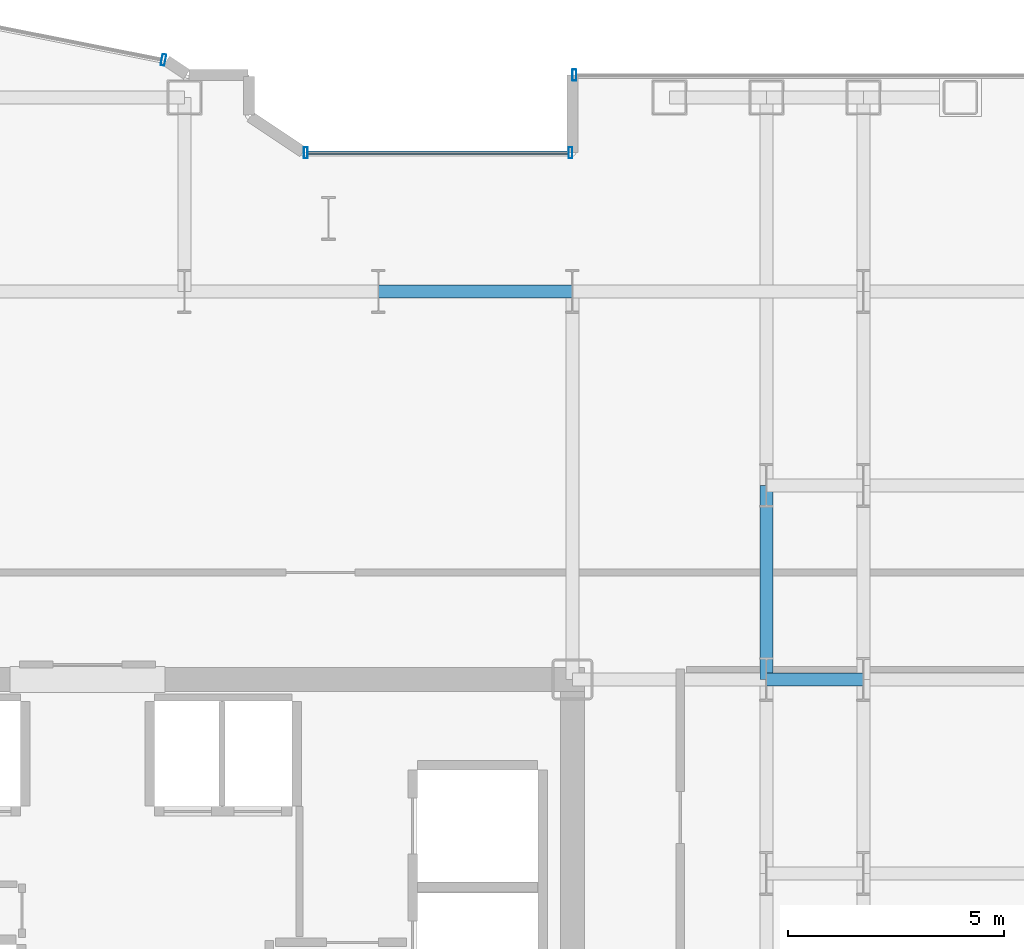
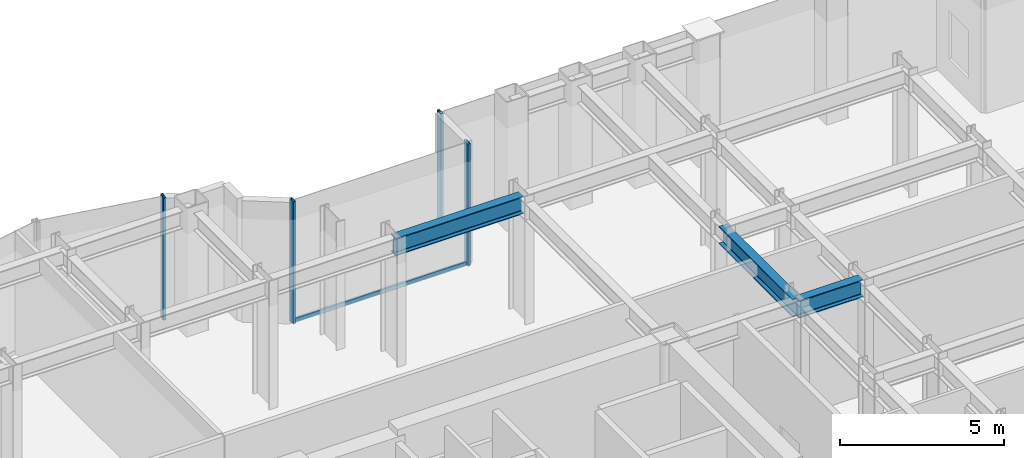
# One storey, part 12 of 27: 5 members, 3 beams, 3 elements without a shape of their own.
"""IFC4 building model written with IfcOpenShell, lengths in metres."""

from ifc_helpers import new_model, si_unit, direction, frame, origin, origin_2d, place, context, subcontext, project, spatial, hollow_rectangle, i_section, extrude, source, transform, mapped, material, layer, layer_set, material_profile, profile_set, type_object, element, aggregate, save


model = new_model("IFC4")

# Units and contexts
model_context = context("Model", 3, precision=1e-05, world=origin(), true_north=direction((0.0, 1.0)))
body_context = subcontext(model_context, "Body", "Model", "MODEL_VIEW")
ifc_project = project(units=[si_unit("LENGTHUNIT", "METRE"), si_unit("AREAUNIT", "SQUARE_METRE"), si_unit("VOLUMEUNIT", "CUBIC_METRE"), si_unit("PLANEANGLEUNIT", "RADIAN"), si_unit("MASSUNIT", "GRAM", prefix="KILO")], contexts=[model_context])

# Site, building, storey
site_placement = place(None, origin())
site = spatial("IfcSite", under=ifc_project, at=site_placement, CompositionType="ELEMENT")
building_placement = place(site_placement, origin())
building = spatial("IfcBuilding", under=site, at=building_placement, Name="Nefas-Gora Pilgrimage Tower", CompositionType="ELEMENT")
storey_placement = place(building_placement, frame((0.0, 0.0, 144.0)))
storey = spatial("IfcBuildingStorey", under=building, at=storey_placement, Name="L35", CompositionType="ELEMENT", Elevation=144.0)

# Beams
ifc_material_1 = material(Name="Steel S355", Category="steel")
ifc_material_profile_1 = material_profile(ifc_material_1, i_section(OverallWidth=0.300048828125, OverallDepth=0.64990234375, WebThickness=0.01611328125, FlangeThickness=0.031005859375, FilletRadius=0.027099609375, at=origin_2d()), Name="HEB 650")
ifc_profile_set_1 = profile_set([ifc_material_profile_1], Name="Steel S355")
beam_type = type_object("IfcBeamType", Name="BM-GIR-HEB650", PredefinedType="BEAM", material=ifc_profile_set_1)
shared_shape_1 = source(origin(), body_context, "Body", "SweptSolid", [
    extrude(i_section(OverallWidth=0.300048828125, OverallDepth=0.64990234375, WebThickness=0.01611328125, FlangeThickness=0.031005859375, FilletRadius=0.027099609375, at=origin_2d()), origin(), (0.0, 0.0, 1.0), 4.5),
])
for number, where, z_axis, x_axis, name in (
    (1, (6.75, 18.0, 4.22509765625), (1.0, 0.0, 0.0), (0.0, 1.0, 0.0), "L35 G-03 beam"),
    (2, (15.75, 9.0, 4.22509765625), (0.0, 1.0, 0.0), (-1.0, 0.0, 0.0), "L35 G-03 beam"),
):
    element("IfcBeam", number, at=place(storey_placement, frame(where, z_axis=z_axis, x_axis=x_axis)), inside=storey, type_object=beam_type, Name=name, PredefinedType="BEAM", context=body_context, shape_type="MappedRepresentation", body=[
        mapped(shared_shape_1, transform((0.0, 0.0, 0.0), x_axis=(1.0, 0.0, 0.0), y_axis=(0.0, 1.0, 0.0), z_axis=(0.0, 0.0, 1.0), scale=1.0)),
    ])
shared_shape_2 = source(origin(), body_context, "Body", "SweptSolid", [
    extrude(i_section(OverallWidth=0.300048828125, OverallDepth=0.64990234375, WebThickness=0.01611328125, FlangeThickness=0.031005859375, FilletRadius=0.027099609375, at=origin_2d()), origin(), (0.0, 0.0, 1.0), 2.25),
])
beam_placement = place(storey_placement, frame((15.75, 9.0, 4.22509765625), z_axis=(1.0, 0.0, 0.0), x_axis=(0.0, 1.0, 0.0)))
element("IfcBeam", 3, at=beam_placement, inside=storey, type_object=beam_type, Name="L35 G-03 beam", PredefinedType="BEAM", context=body_context, shape_type="MappedRepresentation", body=[
    mapped(shared_shape_2, transform((0.0, 0.0, 0.0), x_axis=(1.0, 0.0, 0.0), y_axis=(0.0, 1.0, 0.0), z_axis=(0.0, 0.0, 1.0), scale=1.0)),
])

# Curtain wall, members
ifc_material_2 = material(Name="Dark ceramic-fritted solar-control aluminium-glass curtain wall", Category="aluminium")
ifc_layer_1 = layer(ifc_material_2, 0.219970703125)
ifc_layer_set_1 = layer_set([ifc_layer_1], Name="Dark ceramic-fritted solar-control aluminium-glass curtain wall")
curtain_wall_type_1 = type_object("IfcCurtainWallType", Name="CW-SYS-5", PredefinedType="NOTDEFINED", material=ifc_layer_set_1)
curtain_wall_1_placement = place(storey_placement, origin())
curtain_wall_1 = element("IfcCurtainWall", 4, at=curtain_wall_1_placement, inside=storey, type_object=curtain_wall_type_1, Name="L35 Unitised Curtain Wall CW5", PredefinedType="NOTDEFINED")
ifc_material_3 = material(Name="Anodised architectural aluminium", Category="aluminium")
ifc_material_profile_2 = material_profile(ifc_material_3, hollow_rectangle(XDim=0.080078125, YDim=0.159912109375, WallThickness=0.00439453125, InnerFilletRadius=0.00439453125, OuterFilletRadius=0.009033203125, at=origin_2d()), Name="ALU TRANSOM 80x160")
ifc_profile_set_2 = profile_set([ifc_material_profile_2], Name="Anodised architectural aluminium")
member_type_1 = type_object("IfcMemberType", Name="CWM-TRN-5", PredefinedType="USERDEFINED", material=ifc_profile_set_2)
shared_shape_3 = source(origin(), body_context, "Body", "SweptSolid", [
    extrude(hollow_rectangle(XDim=0.080078125, YDim=0.159912109375, WallThickness=0.00439453125, InnerFilletRadius=0.00439453125, OuterFilletRadius=0.009033203125, at=origin_2d()), origin(), (0.0, 0.0, 1.0), 6.052001953125),
])
member_1_placement = place(storey_placement, frame((11.159912109375, 21.219970703125, 0.050048828125), z_axis=(-1.0, 0.0, 0.0), x_axis=(0.0, -1.0, 0.0)))
member_1 = element("IfcMember", 5, at=member_1_placement, type_object=member_type_1, Name="CW5 Spandrel Transom", ObjectType="TRANSOM", PredefinedType="USERDEFINED", context=body_context, shape_type="MappedRepresentation", body=[
    mapped(shared_shape_3, transform((0.0, 0.0, 0.0), x_axis=(1.0, 0.0, 0.0), y_axis=(0.0, 1.0, 0.0), z_axis=(0.0, 0.0, 1.0), scale=1.0)),
])
ifc_material_profile_3 = material_profile(ifc_material_3, hollow_rectangle(XDim=0.090087890625, YDim=0.260009765625, WallThickness=0.006103515625, InnerFilletRadius=0.006103515625, OuterFilletRadius=0.011962890625, at=origin_2d()), Name="ALU MULLION 90x260")
ifc_profile_set_3 = profile_set([ifc_material_profile_3], Name="Anodised architectural aluminium")
member_type_2 = type_object("IfcMemberType", Name="CWM-MUL-5", PredefinedType="MULLION", material=ifc_profile_set_3)
shared_shape_4 = source(origin(), body_context, "Body", "SweptSolid", [
    extrude(hollow_rectangle(XDim=0.090087890625, YDim=0.260009765625, WallThickness=0.006103515625, InnerFilletRadius=0.006103515625, OuterFilletRadius=0.011962890625, at=origin_2d()), origin(), (0.0, 0.0, 1.0), 4.550048828125),
])
member_2_placement = place(storey_placement, frame((11.205078125, 21.219970703125, 0.0), z_axis=(0.0, 0.0, 1.0), x_axis=(-1.0, 0.0, 0.0)))
member_2 = element("IfcMember", 6, at=member_2_placement, type_object=member_type_2, Name="CW5 Mullion 1", PredefinedType="MULLION", context=body_context, shape_type="MappedRepresentation", body=[
    mapped(shared_shape_4, transform((0.0, 0.0, 0.0), x_axis=(1.0, 0.0, 0.0), y_axis=(0.0, 1.0, 0.0), z_axis=(0.0, 0.0, 1.0), scale=1.0)),
])
member_3_placement = place(storey_placement, frame((5.06298828125, 21.219970703125, 0.0), z_axis=(0.0, 0.0, 1.0), x_axis=(-1.0, 0.0, 0.0)))
member_3 = element("IfcMember", 7, at=member_3_placement, type_object=member_type_2, Name="CW5 Mullion 2", PredefinedType="MULLION", context=body_context, shape_type="MappedRepresentation", body=[
    mapped(shared_shape_4, transform((0.0, 0.0, 0.0), x_axis=(1.0, 0.0, 0.0), y_axis=(0.0, 1.0, 0.0), z_axis=(0.0, 0.0, 1.0), scale=1.0)),
])
aggregate(curtain_wall_1, [member_2, member_3, member_1])

# Curtain wall, member
curtain_wall_2_placement = place(storey_placement, origin())
curtain_wall_2 = element("IfcCurtainWall", 8, at=curtain_wall_2_placement, inside=storey, type_object=curtain_wall_type_1, Name="L35 Unitised Curtain Wall CW5", PredefinedType="NOTDEFINED")
member_4_placement = place(storey_placement, frame((1.76318359375, 23.3740234375, 0.0), z_axis=(0.0, 0.0, 1.0), x_axis=(-0.980782896852, 0.195102304554, 0.0)))
member_4 = element("IfcMember", 9, at=member_4_placement, type_object=member_type_2, Name="CW5 Mullion 1", PredefinedType="MULLION", context=body_context, shape_type="MappedRepresentation", body=[
    mapped(shared_shape_4, transform((0.0, 0.0, 0.0), x_axis=(1.0, 0.0, 0.0), y_axis=(0.0, 1.0, 0.0), z_axis=(0.0, 0.0, 1.0), scale=1.0)),
])
aggregate(curtain_wall_2, [member_4])

ifc_layer_2 = layer(ifc_material_2, 0.219970703125)
ifc_layer_set_2 = layer_set([ifc_layer_2], Name="Dark ceramic-fritted solar-control aluminium-glass curtain wall")
curtain_wall_type_2 = type_object("IfcCurtainWallType", Name="CW-SYS-2", PredefinedType="NOTDEFINED", material=ifc_layer_set_2)
curtain_wall_3_placement = place(storey_placement, origin())
curtain_wall_3 = element("IfcCurtainWall", 10, at=curtain_wall_3_placement, inside=storey, type_object=curtain_wall_type_2, Name="L35 Unitised Curtain Wall CW2", PredefinedType="NOTDEFINED")
ifc_material_profile_4 = material_profile(ifc_material_3, hollow_rectangle(XDim=0.090087890625, YDim=0.260009765625, WallThickness=0.006103515625, InnerFilletRadius=0.006103515625, OuterFilletRadius=0.011962890625, at=origin_2d()), Name="ALU MULLION 90x260")
ifc_profile_set_4 = profile_set([ifc_material_profile_4], Name="Anodised architectural aluminium")
member_type_3 = type_object("IfcMemberType", Name="CWM-MUL-2", PredefinedType="MULLION", material=ifc_profile_set_4)
shared_shape_5 = source(origin(), body_context, "Body", "SweptSolid", [
    extrude(hollow_rectangle(XDim=0.090087890625, YDim=0.260009765625, WallThickness=0.006103515625, InnerFilletRadius=0.006103515625, OuterFilletRadius=0.011962890625, at=origin_2d()), origin(), (0.0, 0.0, 1.0), 4.550048828125),
])
member_5_placement = place(storey_placement, frame((11.294921875, 23.02001953125, 0.0), z_axis=(0.0, 0.0, 1.0), x_axis=(-1.0, 0.0, 0.0)))
member_5 = element("IfcMember", 11, at=member_5_placement, type_object=member_type_3, Name="CW2 Mullion 2", PredefinedType="MULLION", context=body_context, shape_type="MappedRepresentation", body=[
    mapped(shared_shape_5, transform((0.0, 0.0, 0.0), x_axis=(1.0, 0.0, 0.0), y_axis=(0.0, 1.0, 0.0), z_axis=(0.0, 0.0, 1.0), scale=1.0)),
])
aggregate(curtain_wall_3, [member_5])

save(model, "model.ifc")
